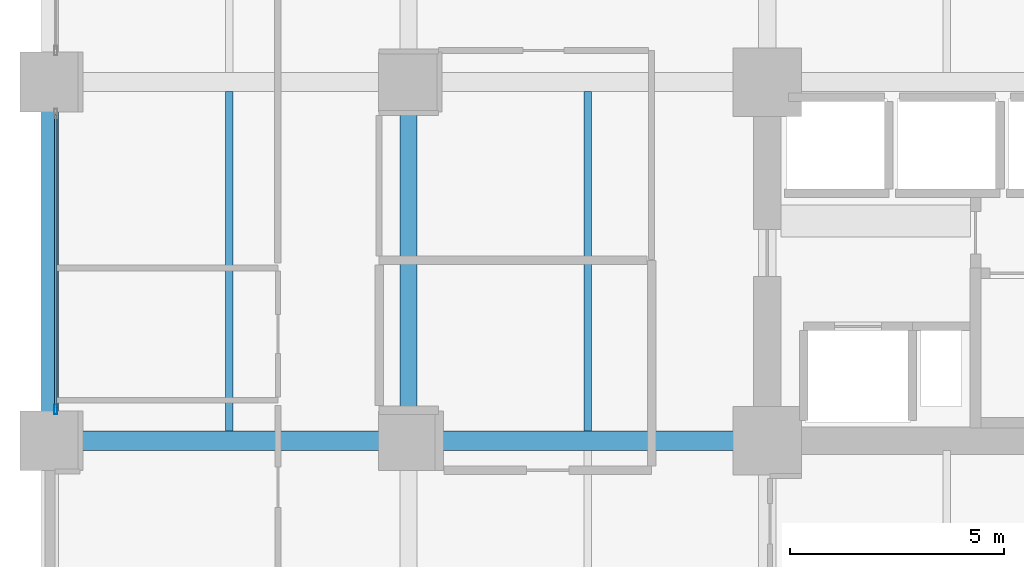
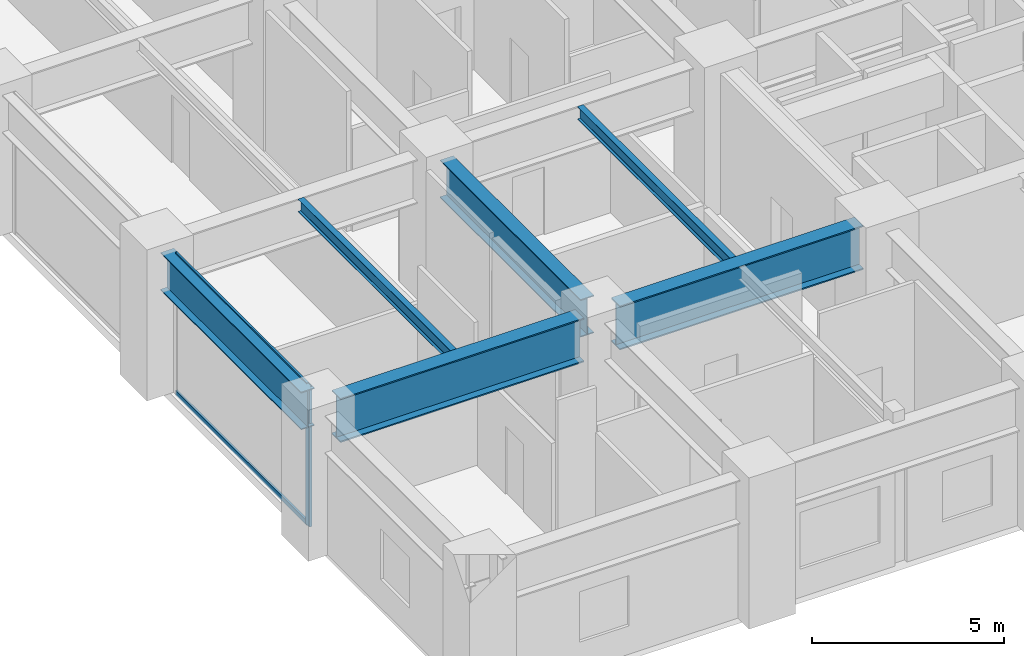
# One storey, part 2 of 24: 6 beams, 3 members, 1 element without a shape of its own.
"""IFC4 building model written with IfcOpenShell, lengths in metres."""

from ifc_helpers import new_model, si_unit, direction, frame, origin, origin_2d, place, context, subcontext, project, spatial, hollow_rectangle, i_section, extrude, material, layer, layer_set, material_profile, profile_set, type_object, element, aggregate, save


model = new_model("IFC4")

# Units and contexts
model_context = context("Model", 3, precision=1e-05, world=origin(), true_north=direction((0.0, 1.0)))
body_context = subcontext(model_context, "Body", "Model", "MODEL_VIEW")
ifc_project = project(units=[si_unit("LENGTHUNIT", "METRE"), si_unit("AREAUNIT", "SQUARE_METRE"), si_unit("VOLUMEUNIT", "CUBIC_METRE"), si_unit("PLANEANGLEUNIT", "RADIAN"), si_unit("MASSUNIT", "GRAM", prefix="KILO")], contexts=[model_context])

# Site, building, storey
site_placement = place(None, origin())
site = spatial("IfcSite", under=ifc_project, at=site_placement, CompositionType="ELEMENT")
building_placement = place(site_placement, origin())
building = spatial("IfcBuilding", under=site, at=building_placement, Name="Nerrivon Quay Data Exchange", CompositionType="ELEMENT")
storey_placement = place(building_placement, frame((0.0, 0.0, 15.0)))
storey = spatial("IfcBuildingStorey", under=building, at=storey_placement, Name="L03", CompositionType="ELEMENT", Elevation=15.0)

# Beams
ifc_material_1 = material(Name="Steel Grade 350", Category="steel")
ifc_material_profile_1 = material_profile(ifc_material_1, i_section(OverallWidth=0.177978515625, OverallDepth=0.406005859375, WebThickness=0.0078125, FlangeThickness=0.0126953125, FilletRadius=0.011474609375, at=origin_2d()), Name="410UB59.7")
ifc_profile_set_1 = profile_set([ifc_material_profile_1], Name="Steel Grade 350")
beam_type_1 = type_object("IfcBeamType", Name="BM-J1-410UB60", PredefinedType="JOIST", material=ifc_profile_set_1)
for number, where, z_axis, x_axis, name in (
    (1, (4.199951171875, 8.625, 4.2470703125), (0.0, 1.0, 0.0), (-1.0, 0.0, 0.0), "L03 Secondary Joist X=4.2 (8.4..16.8)"),
    (2, (12.60009765625, 8.625, 4.2470703125), (0.0, 1.0, 0.0), (-1.0, 0.0, 0.0), "L03 Secondary Joist X=12.6 (8.4..16.8)"),
):
    element("IfcBeam", number, at=place(storey_placement, frame(where, z_axis=z_axis, x_axis=x_axis)), inside=storey, type_object=beam_type_1, Name=name, PredefinedType="JOIST", context=body_context, shape_type="SweptSolid", body=[
        extrude(i_section(OverallWidth=0.177978515625, OverallDepth=0.406005859375, WebThickness=0.0078125, FlangeThickness=0.0126953125, FilletRadius=0.011474609375, at=origin_2d()), origin(), (0.0, 0.0, 1.0), 7.949951171875),
    ])
ifc_material_profile_2 = material_profile(ifc_material_1, i_section(OverallWidth=0.449951171875, OverallDepth=1.39990234375, WebThickness=0.02001953125, FlangeThickness=0.0400390625, at=origin_2d()), Name="1400WG455")
ifc_profile_set_2 = profile_set([ifc_material_profile_2], Name="Steel Grade 350")
beam_type_2 = type_object("IfcBeamType", Name="BM-TG1-1400WG", PredefinedType="USERDEFINED", material=ifc_profile_set_2)
for number, where, z_axis, x_axis, name in (
    (3, (0.5400390625, 8.39990234375, 3.75), (1.0, 0.0, 0.0), (0.0, 1.0, 0.0), "L03 EW Girder Y=8.4 (0.0..8.4)"),
    (4, (8.93994140625, 8.39990234375, 3.75), (1.0, 0.0, 0.0), (0.0, 1.0, 0.0), "L03 EW Girder Y=8.4 (8.4..16.8)"),
):
    element("IfcBeam", number, at=place(storey_placement, frame(where, z_axis=z_axis, x_axis=x_axis)), inside=storey, type_object=beam_type_2, Name=name, ObjectType="TRANSFER", PredefinedType="USERDEFINED", context=body_context, shape_type="SweptSolid", body=[
        extrude(i_section(OverallWidth=0.449951171875, OverallDepth=1.39990234375, WebThickness=0.02001953125, FlangeThickness=0.0400390625, at=origin_2d()), origin(), (0.0, 0.0, 1.0), 7.320068359375),
    ])
ifc_material_profile_3 = material_profile(ifc_material_1, i_section(OverallWidth=0.39990234375, OverallDepth=1.199951171875, WebThickness=0.01611328125, FlangeThickness=0.031982421875, at=origin_2d()), Name="1200WB342")
ifc_profile_set_3 = profile_set([ifc_material_profile_3], Name="Steel Grade 350")
beam_type_3 = type_object("IfcBeamType", Name="BM-TG2-1200WB", PredefinedType="USERDEFINED", material=ifc_profile_set_3)
for number, where, z_axis, x_axis, name in (
    (5, (0.0, 8.93994140625, 3.85009765625), (0.0, 1.0, 0.0), (-1.0, 0.0, 0.0), "L03 NS Girder X=0.0 (8.4..16.8)"),
    (6, (8.39990234375, 8.93994140625, 3.85009765625), (0.0, 1.0, 0.0), (-1.0, 0.0, 0.0), "L03 NS Girder X=8.4 (8.4..16.8)"),
):
    element("IfcBeam", number, at=place(storey_placement, frame(where, z_axis=z_axis, x_axis=x_axis)), inside=storey, type_object=beam_type_3, Name=name, ObjectType="TRANSFER", PredefinedType="USERDEFINED", context=body_context, shape_type="SweptSolid", body=[
        extrude(i_section(OverallWidth=0.39990234375, OverallDepth=1.199951171875, WebThickness=0.01611328125, FlangeThickness=0.031982421875, at=origin_2d()), origin(), (0.0, 0.0, 1.0), 7.320068359375),
    ])

# Curtain wall, members
ifc_material_2 = material(Name="Anodised aluminium 6063-T6", Category="aluminium")
ifc_layer = layer(ifc_material_2, 0.239990234375)
ifc_layer_set = layer_set([ifc_layer], Name="Anodised aluminium 6063-T6")
curtain_wall_type = type_object("IfcCurtainWallType", Name="CW-SYS-03", PredefinedType="NOTDEFINED", material=ifc_layer_set)
curtain_wall_placement = place(storey_placement, origin())
curtain_wall = element("IfcCurtainWall", 7, at=curtain_wall_placement, inside=storey, type_object=curtain_wall_type, Name="L03 Unitised Curtain Wall 2", PredefinedType="NOTDEFINED")
ifc_material_profile_4 = material_profile(ifc_material_2, hollow_rectangle(XDim=0.074951171875, YDim=0.219970703125, WallThickness=0.00390625, at=origin_2d()), Name="ALU-MULL-220x75")
ifc_profile_set_4 = profile_set([ifc_material_profile_4], Name="Anodised aluminium 6063-T6")
member_type_1 = type_object("IfcMemberType", Name="CWM-220x75", PredefinedType="MULLION", material=ifc_profile_set_4)
member_1_placement = place(storey_placement, frame((0.139892578125, 9.137451171875, 0.0), z_axis=(0.0, 0.0, 1.0), x_axis=(-1.0, 0.0, 0.0)))
member_1 = element("IfcMember", 8, at=member_1_placement, type_object=member_type_1, Name="CW03 mullion 1", PredefinedType="MULLION", context=body_context, shape_type="SweptSolid", body=[
    extrude(hollow_rectangle(XDim=0.074951171875, YDim=0.219970703125, WallThickness=0.00390625, at=origin_2d()), origin(), (0.0, 0.0, 1.0), 4.449951171875),
])
ifc_material_profile_5 = material_profile(ifc_material_2, hollow_rectangle(XDim=0.06494140625, YDim=0.14990234375, WallThickness=0.00341796875, at=origin_2d()), Name="ALU-TRAN-150x65")
ifc_profile_set_5 = profile_set([ifc_material_profile_5], Name="Anodised aluminium 6063-T6")
member_type_2 = type_object("IfcMemberType", Name="CWT-150x65", PredefinedType="USERDEFINED", material=ifc_profile_set_5)
member_2_placement = place(storey_placement, frame((0.139892578125, 9.175048828125, 0.032470703125), z_axis=(0.0, 1.0, 0.0), x_axis=(-1.0, 0.0, 0.0)))
member_2 = element("IfcMember", 9, at=member_2_placement, type_object=member_type_2, Name="CW03 transom 1.1", ObjectType="TRANSOM", PredefinedType="USERDEFINED", context=body_context, shape_type="SweptSolid", body=[
    extrude(hollow_rectangle(XDim=0.06494140625, YDim=0.14990234375, WallThickness=0.00341796875, at=origin_2d()), origin(), (0.0, 0.0, 1.0), 6.849853515625),
])
member_3_placement = place(storey_placement, frame((0.139892578125, 9.175048828125, 4.41748046875), z_axis=(0.0, 1.0, 0.0), x_axis=(-1.0, 0.0, 0.0)))
member_3 = element("IfcMember", 10, at=member_3_placement, type_object=member_type_2, Name="CW03 transom 1.2", ObjectType="TRANSOM", PredefinedType="USERDEFINED", context=body_context, shape_type="SweptSolid", body=[
    extrude(hollow_rectangle(XDim=0.06494140625, YDim=0.14990234375, WallThickness=0.00341796875, at=origin_2d()), origin(), (0.0, 0.0, 1.0), 6.849853515625),
])
aggregate(curtain_wall, [member_1, member_2, member_3])

save(model, "model.ifc")
